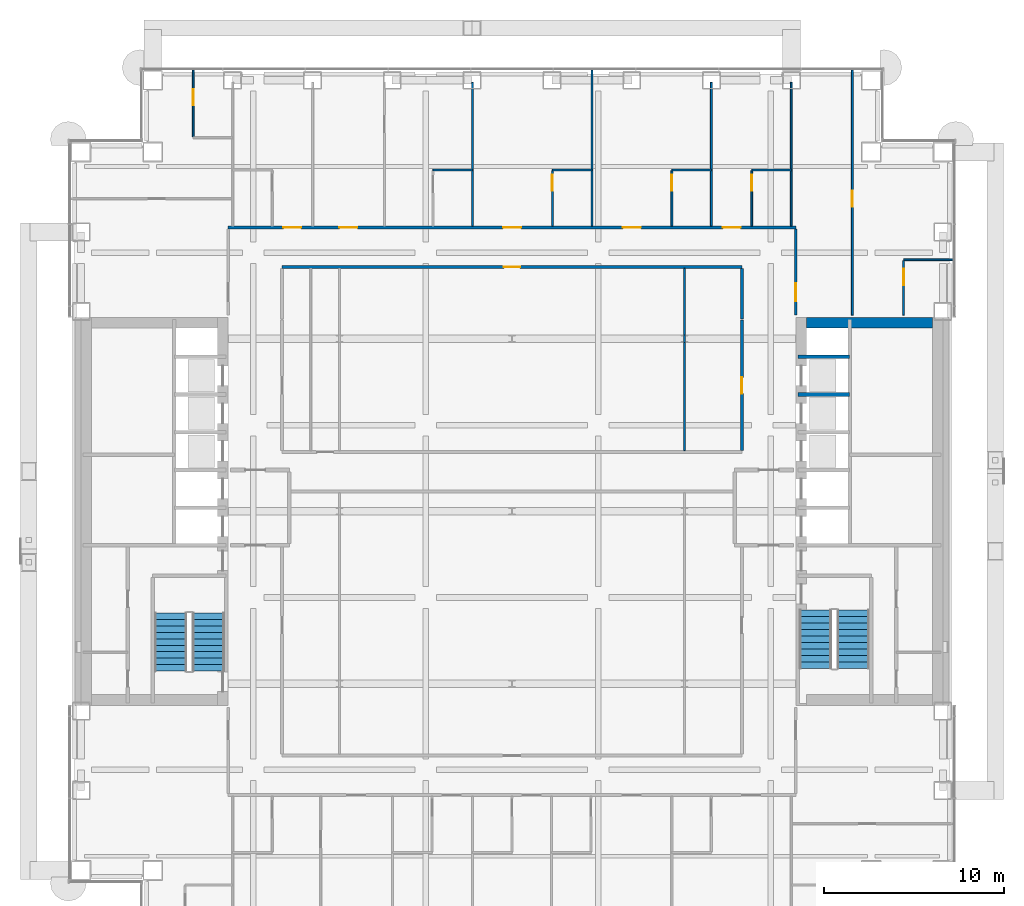
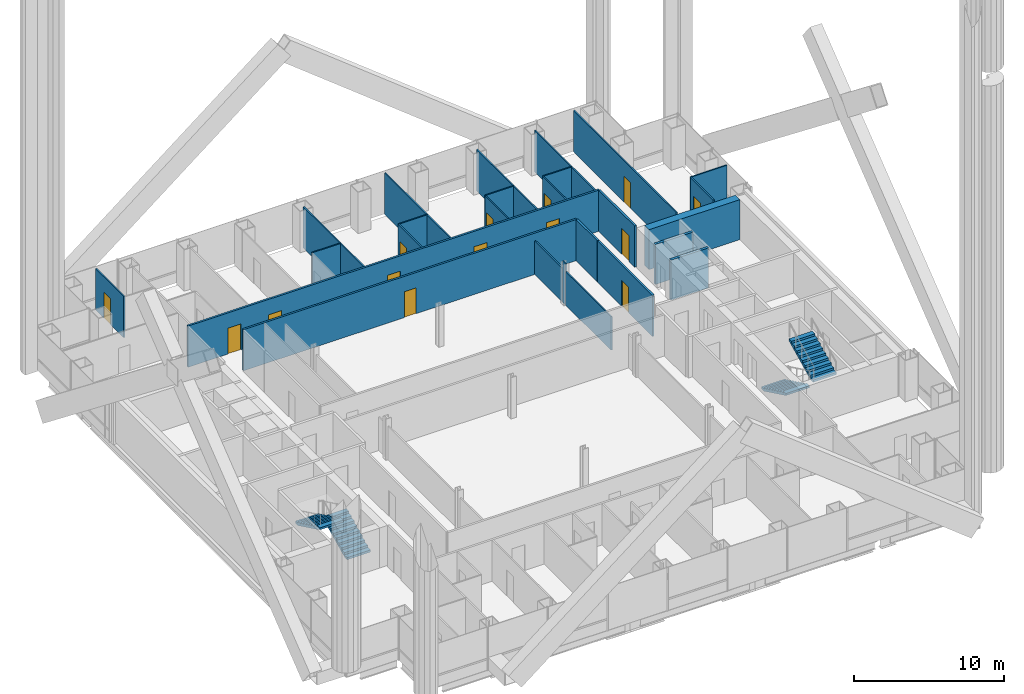
# One storey, part 21 of 28: 26 walls, 14 doors, 4 stair flights, 14 openings, 2 elements without a shape of their own.
"""IFC4 building model written with IfcOpenShell, lengths in metres."""

import ifcopenshell
import ifcopenshell.guid

model = None  # the IFC model being written
_history = None  # IfcOwnerHistory: only IFC2X3 demands one
_inside = {}  # id of a spatial element -> (the spatial element, [elements in it])
_under = {}  # id of a project, library or spatial element -> (it, [spatial elements below it])
_declared = {}  # id of a project -> (the project, [libraries it declares])
_typed = {}  # id of a type object -> (the type object, [elements of that type])
_made_of = {}  # id of a material, layer set ... -> (it, [elements and type objects made of it])


def new_model(schema):
    """Start an empty IFC model of exactly this schema.

    Asked for "IFC4X3", IfcOpenShell would pick the latest addendum, in which some entities
    have other attributes; the version numbers below select the first issue.
    IFC2X3 requires an IfcOwnerHistory on every rooted entity: one is made here for all.
    """
    global model, _history
    if schema == "IFC4X3":
        model = ifcopenshell.file(schema_version=(4, 3, 0, 0))
    else:
        model = ifcopenshell.file(schema=schema)
    _inside.clear()
    _under.clear()
    _declared.clear()
    _typed.clear()
    _made_of.clear()
    _history = None
    if model.schema == "IFC2X3":
        org = make("IfcOrganization", Name="unknown")
        user = make(
            "IfcPersonAndOrganization",
            ThePerson=make("IfcPerson", FamilyName="unknown"),
            TheOrganization=org,
        )
        app = make(
            "IfcApplication",
            ApplicationDeveloper=org,
            Version="unknown",
            ApplicationFullName="unknown",
            ApplicationIdentifier="unknown",
        )
        _history = make(
            "IfcOwnerHistory",
            OwningUser=user,
            OwningApplication=app,
            ChangeAction="ADDED",
            CreationDate=0,
        )
    return model


def make(cls, **values):
    """One entity of the class cls with the attributes given. An attribute that is None is left unset."""
    return model.create_entity(
        cls, **{name: value for name, value in values.items() if value is not None}
    )


def rooted(cls, **values):
    """An entity with a GlobalId (a new one), such as an element, a storey or a relation."""
    return make(cls, GlobalId=ifcopenshell.guid.new(), OwnerHistory=_history, **values)


def si_unit(unit_type, name, prefix=None):
    """IfcSIUnit, for example si_unit("LENGTHUNIT", "METRE", prefix="MILLI")."""
    return make("IfcSIUnit", UnitType=unit_type, Prefix=prefix, Name=name)


def assignment(units):
    """IfcUnitAssignment: the units of a project."""
    return None if units is None else make("IfcUnitAssignment", Units=units)


def point(xyz):
    """IfcCartesianPoint."""
    return None if xyz is None else make("IfcCartesianPoint", Coordinates=xyz)


def direction(xyz):
    """IfcDirection."""
    return None if xyz is None else make("IfcDirection", DirectionRatios=xyz)


def frame(location, z_axis=None, x_axis=None):
    """IfcAxis2Placement3D, a coordinate frame: its origin and axes. An axis left out is left unset."""
    return make(
        "IfcAxis2Placement3D",
        Location=point(location),
        Axis=direction(z_axis),
        RefDirection=direction(x_axis),
    )


def frame_2d(location, x_axis=None):
    """IfcAxis2Placement2D, a coordinate frame in the plane: its origin and x axis."""
    return make(
        "IfcAxis2Placement2D", Location=point(location), RefDirection=direction(x_axis)
    )


def origin():
    """The frame at (0, 0, 0) with its axes left unset."""
    return frame((0.0, 0.0, 0.0))


def place(relative_to, where):
    """IfcLocalPlacement: puts the frame where relative to a parent placement (None: the world)."""
    return make(
        "IfcLocalPlacement", PlacementRelTo=relative_to, RelativePlacement=where
    )


def context(
    kind, dimensions, precision=None, world=None, true_north=None, identifier=None
):
    """IfcGeometricRepresentationContext, for example the 3D "Model" context."""
    return make(
        "IfcGeometricRepresentationContext",
        ContextIdentifier=identifier,
        ContextType=kind,
        CoordinateSpaceDimension=dimensions,
        Precision=precision,
        WorldCoordinateSystem=world,
        TrueNorth=true_north,
    )


def subcontext(parent, identifier, kind, view, scale=None):
    """IfcGeometricRepresentationSubContext, for example "Body" below "Model"."""
    return make(
        "IfcGeometricRepresentationSubContext",
        ContextIdentifier=identifier,
        ContextType=kind,
        ParentContext=parent,
        TargetScale=scale,
        TargetView=view,
    )


def project(units=None, contexts=None):
    """IfcProject with its units and contexts."""
    return rooted(
        "IfcProject",
        Name="project",
        RepresentationContexts=contexts,
        UnitsInContext=assignment(units),
    )


def spatial(cls, under=None, at=None, **own):
    """A site, building, storey or space (cls), placed at a placement, below another one or the project."""
    s = rooted(cls, ObjectPlacement=at, **own)
    if under is not None:
        _under.setdefault(under.id(), (under, []))[1].append(s)
    return s


def polyline(points):
    """IfcPolyline through the points."""
    return make("IfcPolyline", Points=[point(p) for p in points])


def profile(cls, at=None, kind="AREA", **sizes):
    """A parametric profile (cls). Its sizes go by their IFC names, for example OverallWidth=200.0."""
    return make(cls, ProfileType=kind, Position=at, **sizes)


def rectangle(**sizes):
    """IfcRectangleProfileDef."""
    return profile("IfcRectangleProfileDef", **sizes)


def outline(outer, holes=None, kind="AREA"):
    """IfcArbitraryClosedProfileDef: a profile drawn as a closed curve; with holes, ...WithVoids."""
    if holes is None:
        return make("IfcArbitraryClosedProfileDef", ProfileType=kind, OuterCurve=outer)
    return make(
        "IfcArbitraryProfileDefWithVoids",
        ProfileType=kind,
        OuterCurve=outer,
        InnerCurves=holes,
    )


def extrude(swept, where, along, depth):
    """IfcExtrudedAreaSolid: the profile swept, set in the frame where, extruded along a direction by depth."""
    return make(
        "IfcExtrudedAreaSolid",
        SweptArea=swept,
        Position=where,
        ExtrudedDirection=direction(along),
        Depth=depth,
    )


def shape(context_of_items, identifier, shape_type, items):
    """IfcShapeRepresentation: the items that make up one representation, for example the "Body"."""
    return make(
        "IfcShapeRepresentation",
        ContextOfItems=context_of_items,
        RepresentationIdentifier=identifier,
        RepresentationType=shape_type,
        Items=items,
    )


def material(Name=None, Category=None):
    """IfcMaterial."""
    return make("IfcMaterial", Name=Name, Category=Category)


def layer(
    of_material, thickness, ventilated=None, Name=None, Category=None, Priority=None
):
    """IfcMaterialLayer: one layer of a wall or slab, of a material (None: an air gap)."""
    return make(
        "IfcMaterialLayer",
        Material=of_material,
        LayerThickness=thickness,
        IsVentilated=ventilated,
        Name=Name,
        Category=Category,
        Priority=Priority,
    )


def layer_set(layers, Name=None):
    """IfcMaterialLayerSet."""
    return make("IfcMaterialLayerSet", MaterialLayers=layers, LayerSetName=Name)


def made_of(thing, what):
    """Note that an element or type object is made of a material, layer set ...; save() writes the relation."""
    if what is not None:
        _made_of.setdefault(what.id(), (what, []))[1].append(thing)
    return thing


def type_object(cls, material=None, **own):
    """A type object (cls), such as IfcWallType, which elements share."""
    return made_of(rooted(cls, **own), material)


def element(
    cls,
    number,
    at=None,
    inside=None,
    cuts=None,
    type_object=None,
    material=None,
    context=None,
    identifier="Body",
    shape_type=None,
    held_by="IfcProductDefinitionShape",
    body=None,
    shapes=None,
    **own,
):
    """One element of the class cls, such as IfcWall. Its Tag is "e" and its number.

    at: its placement. inside: the storey or other place that contains it. cuts: it is an
    opening in that element (IfcRelVoidsElement). A single representation is given by context,
    identifier, shape_type and body (its items); several are given by shapes. held_by: the class
    of the entity that holds the representations. save() writes the other relations.
    """
    e = rooted(cls, Tag="e%d" % number, ObjectPlacement=at, **own)
    if body is not None:
        shapes = [shape(context, identifier, shape_type, body)]
    if shapes is not None:
        e.Representation = make(held_by, Representations=shapes)
    if inside is not None:
        _inside.setdefault(inside.id(), (inside, []))[1].append(e)
    if cuts is not None:
        rooted(
            "IfcRelVoidsElement", RelatingBuildingElement=cuts, RelatedOpeningElement=e
        )
    if type_object is not None:
        _typed.setdefault(type_object.id(), (type_object, []))[1].append(e)
    return made_of(e, material)


def fill(opening, filler):
    """IfcRelFillsElement: the door or window that sits in an opening."""
    return rooted(
        "IfcRelFillsElement",
        RelatingOpeningElement=opening,
        RelatedBuildingElement=filler,
    )


def aggregate(whole, parts):
    """IfcRelAggregates: a whole, such as a stair, and the parts it consists of."""
    return rooted("IfcRelAggregates", RelatingObject=whole, RelatedObjects=parts)


def save(model, path):
    """Write the relations noted so far, then the file.

    IfcRelAggregates (storeys below a building ...), IfcRelContainedInSpatialStructure (elements
    in a storey), IfcRelDefinesByType, IfcRelAssociatesMaterial and IfcRelDeclares: one each for
    every whole, place, type object, material and project.
    """
    for whole, parts in _under.values():
        aggregate(whole, parts)
    for where, things in _inside.values():
        rooted(
            "IfcRelContainedInSpatialStructure",
            RelatedElements=things,
            RelatingStructure=where,
        )
    for kind, things in _typed.values():
        rooted("IfcRelDefinesByType", RelatedObjects=things, RelatingType=kind)
    for what, things in _made_of.values():
        rooted("IfcRelAssociatesMaterial", RelatedObjects=things, RelatingMaterial=what)
    for by, libraries in _declared.values():
        rooted("IfcRelDeclares", RelatingContext=by, RelatedDefinitions=libraries)
    model.write(path)


model = new_model("IFC4")

# Units and contexts
model_context = context("Model", 3, precision=1e-05, world=origin(), true_north=direction((0.0, 1.0)))
body_context = subcontext(model_context, "Body", "Model", "MODEL_VIEW")
ifc_project = project(units=[si_unit("LENGTHUNIT", "METRE"), si_unit("AREAUNIT", "SQUARE_METRE"), si_unit("VOLUMEUNIT", "CUBIC_METRE"), si_unit("PLANEANGLEUNIT", "RADIAN"), si_unit("MASSUNIT", "GRAM", prefix="KILO")], contexts=[model_context])

# Site, building, storey
site_placement = place(None, origin())
site = spatial("IfcSite", under=ifc_project, at=site_placement, CompositionType="ELEMENT")
building_placement = place(site_placement, origin())
building = spatial("IfcBuilding", under=site, at=building_placement, Name="Cobrizo Arcos Hotel Tower", CompositionType="ELEMENT")
storey_placement = place(building_placement, frame((0.0, 0.0, 39.0)))
storey = spatial("IfcBuildingStorey", under=building, at=storey_placement, Name="L07", CompositionType="ELEMENT", Elevation=39.0)

# Wall, opening, door
ifc_material_1 = material(Name="Gypsum board partition")
ifc_layer_1 = layer(ifc_material_1, 0.14990234375)
ifc_layer_set_1 = layer_set([ifc_layer_1], Name="Corridor wall EI 60 150")
wall_type_1 = type_object("IfcWallType", Name="Corridor wall EI 60 150", PredefinedType="PARTITIONING", material=ifc_layer_set_1)
wall_1_placement = place(storey_placement, frame((-12.800048828125, 13.60009765625, 0.0), z_axis=(0.0, 0.0, 1.0), x_axis=(1.0, 0.0, 0.0)))
wall_1 = element("IfcWall", 1, at=wall_1_placement, inside=storey, type_object=wall_type_1, Name="Partition 035", PredefinedType="PARTITIONING", context=body_context, shape_type="SweptSolid", body=[
    extrude(rectangle(XDim=25.60009765625, YDim=0.14990234375, at=frame_2d((12.800048828125, 0.0))), origin(), (0.0, 0.0, 1.0), 3.35009765625),
])
opening_1_placement = place(wall_1_placement, frame((12.35009765625, 0.0, 0.0)))
opening_1 = element("IfcOpeningElement", 2, at=opening_1_placement, cuts=wall_1, Name="Opening RD-12", PredefinedType="OPENING", context=body_context, shape_type="SweptSolid", body=[
    extrude(rectangle(XDim=0.89990234375, YDim=2.10009765625, at=frame_2d((0.449951171875, 1.050048828125))), frame((0.0, 0.0869140625, 0.0), z_axis=(0.0, -1.0, 0.0), x_axis=(1.0, 0.0, 0.0)), (0.0, 0.0, 1.0), 0.173828125),
])
ifc_material_2 = material(Name="Timber door leaf", Category="wood")
door_type_1 = type_object("IfcDoorType", Name="Room door FD30 900x2100", OperationType="SINGLE_SWING_LEFT", PredefinedType="DOOR", material=ifc_material_2)
door_1_placement = place(opening_1_placement, origin())
door_1 = element("IfcDoor", 3, at=door_1_placement, inside=storey, type_object=door_type_1, Name="Door RD-12", OperationType="SINGLE_SWING_LEFT", OverallHeight=2.10009765625, OverallWidth=0.89990234375, PredefinedType="DOOR", context=body_context, shape_type="SweptSolid", body=[
    extrude(rectangle(XDim=0.89990234375, YDim=2.10009765625, at=frame_2d((0.449951171875, 1.050048828125))), frame((0.0, 0.02490234375, 0.0), z_axis=(0.0, -1.0, 0.0), x_axis=(1.0, 0.0, 0.0)), (0.0, 0.0, 1.0), 0.050048828125),
])
fill(opening_1, door_1)

# Wall, openings, doors
wall_2_placement = place(storey_placement, frame((-15.800048828125, 15.800048828125, 0.0), z_axis=(0.0, 0.0, 1.0), x_axis=(1.0, 0.0, 0.0)))
wall_2 = element("IfcWall", 4, at=wall_2_placement, inside=storey, type_object=wall_type_1, Name="Partition 037", PredefinedType="PARTITIONING", context=body_context, shape_type="SweptSolid", body=[
    extrude(rectangle(XDim=31.60009765625, YDim=0.14990234375, at=frame_2d((15.800048828125, 0.0))), origin(), (0.0, 0.0, 1.0), 3.35009765625),
])
opening_2_placement = place(wall_2_placement, frame((3.06689453125, 0.0, 0.0)))
opening_2 = element("IfcOpeningElement", 5, at=opening_2_placement, cuts=wall_2, Name="Opening GD-01", PredefinedType="OPENING", context=body_context, shape_type="SweptSolid", body=[
    extrude(rectangle(XDim=1.0, YDim=2.10009765625, at=frame_2d((0.5, 1.050048828125))), frame((0.0, 0.0869140625, 0.0), z_axis=(0.0, -1.0, 0.0), x_axis=(1.0, 0.0, 0.0)), (0.0, 0.0, 1.0), 0.173828125),
])
opening_3_placement = place(wall_2_placement, frame((6.18896484375, 0.0, 0.0)))
opening_3 = element("IfcOpeningElement", 6, at=opening_3_placement, cuts=wall_2, Name="Opening GD-02", PredefinedType="OPENING", context=body_context, shape_type="SweptSolid", body=[
    extrude(rectangle(XDim=1.0, YDim=2.10009765625, at=frame_2d((0.5, 1.050048828125))), frame((0.0, 0.0869140625, 0.0), z_axis=(0.0, -1.0, 0.0), x_axis=(1.0, 0.0, 0.0)), (0.0, 0.0, 1.0), 0.173828125),
])
opening_4_placement = place(wall_2_placement, frame((15.31103515625, 0.0, 0.0)))
opening_4 = element("IfcOpeningElement", 7, at=opening_4_placement, cuts=wall_2, Name="Opening GD-03", PredefinedType="OPENING", context=body_context, shape_type="SweptSolid", body=[
    extrude(rectangle(XDim=1.0, YDim=2.10009765625, at=frame_2d((0.5, 1.050048828125))), frame((0.0, 0.0869140625, 0.0), z_axis=(0.0, -1.0, 0.0), x_axis=(1.0, 0.0, 0.0)), (0.0, 0.0, 1.0), 0.173828125),
])
opening_5_placement = place(wall_2_placement, frame((21.97705078125, 0.0, 0.0)))
opening_5 = element("IfcOpeningElement", 8, at=opening_5_placement, cuts=wall_2, Name="Opening GD-04", PredefinedType="OPENING", context=body_context, shape_type="SweptSolid", body=[
    extrude(rectangle(XDim=1.0, YDim=2.10009765625, at=frame_2d((0.5, 1.050048828125))), frame((0.0, 0.0869140625, 0.0), z_axis=(0.0, -1.0, 0.0), x_axis=(1.0, 0.0, 0.0)), (0.0, 0.0, 1.0), 0.173828125),
])
opening_6_placement = place(wall_2_placement, frame((27.533935546875, 0.0, 0.0)))
opening_6 = element("IfcOpeningElement", 9, at=opening_6_placement, cuts=wall_2, Name="Opening GD-05", PredefinedType="OPENING", context=body_context, shape_type="SweptSolid", body=[
    extrude(rectangle(XDim=1.0, YDim=2.10009765625, at=frame_2d((0.5, 1.050048828125))), frame((0.0, 0.0869140625, 0.0), z_axis=(0.0, -1.0, 0.0), x_axis=(1.0, 0.0, 0.0)), (0.0, 0.0, 1.0), 0.173828125),
])
door_type_2 = type_object("IfcDoorType", Name="Guest room door FD30S 1000x2100", OperationType="SINGLE_SWING_LEFT", PredefinedType="DOOR", material=ifc_material_2)
door_2_placement = place(opening_2_placement, origin())
door_2 = element("IfcDoor", 10, at=door_2_placement, inside=storey, type_object=door_type_2, Name="Door GD-01", OperationType="SINGLE_SWING_RIGHT", OverallHeight=2.10009765625, OverallWidth=1.0, PredefinedType="DOOR", context=body_context, shape_type="SweptSolid", body=[
    extrude(rectangle(XDim=1.0, YDim=2.10009765625, at=frame_2d((0.5, 1.050048828125))), frame((0.0, 0.02490234375, 0.0), z_axis=(0.0, -1.0, 0.0), x_axis=(1.0, 0.0, 0.0)), (0.0, 0.0, 1.0), 0.050048828125),
])
fill(opening_2, door_2)
door_3_placement = place(opening_3_placement, origin())
door_3 = element("IfcDoor", 11, at=door_3_placement, inside=storey, type_object=door_type_2, Name="Door GD-02", OperationType="SINGLE_SWING_LEFT", OverallHeight=2.10009765625, OverallWidth=1.0, PredefinedType="DOOR", context=body_context, shape_type="SweptSolid", body=[
    extrude(rectangle(XDim=1.0, YDim=2.10009765625, at=frame_2d((0.5, 1.050048828125))), frame((0.0, 0.02490234375, 0.0), z_axis=(0.0, -1.0, 0.0), x_axis=(1.0, 0.0, 0.0)), (0.0, 0.0, 1.0), 0.050048828125),
])
fill(opening_3, door_3)
door_4_placement = place(opening_4_placement, origin())
door_4 = element("IfcDoor", 12, at=door_4_placement, inside=storey, type_object=door_type_2, Name="Door GD-03", OperationType="SINGLE_SWING_LEFT", OverallHeight=2.10009765625, OverallWidth=1.0, PredefinedType="DOOR", context=body_context, shape_type="SweptSolid", body=[
    extrude(rectangle(XDim=1.0, YDim=2.10009765625, at=frame_2d((0.5, 1.050048828125))), frame((0.0, 0.02490234375, 0.0), z_axis=(0.0, -1.0, 0.0), x_axis=(1.0, 0.0, 0.0)), (0.0, 0.0, 1.0), 0.050048828125),
])
fill(opening_4, door_4)
door_5_placement = place(opening_5_placement, origin())
door_5 = element("IfcDoor", 13, at=door_5_placement, inside=storey, type_object=door_type_2, Name="Door GD-04", OperationType="SINGLE_SWING_RIGHT", OverallHeight=2.10009765625, OverallWidth=1.0, PredefinedType="DOOR", context=body_context, shape_type="SweptSolid", body=[
    extrude(rectangle(XDim=1.0, YDim=2.10009765625, at=frame_2d((0.5, 1.050048828125))), frame((0.0, 0.02490234375, 0.0), z_axis=(0.0, -1.0, 0.0), x_axis=(1.0, 0.0, 0.0)), (0.0, 0.0, 1.0), 0.050048828125),
])
fill(opening_5, door_5)
door_6_placement = place(opening_6_placement, origin())
door_6 = element("IfcDoor", 14, at=door_6_placement, inside=storey, type_object=door_type_2, Name="Door GD-05", OperationType="SINGLE_SWING_RIGHT", OverallHeight=2.10009765625, OverallWidth=1.0, PredefinedType="DOOR", context=body_context, shape_type="SweptSolid", body=[
    extrude(rectangle(XDim=1.0, YDim=2.10009765625, at=frame_2d((0.5, 1.050048828125))), frame((0.0, 0.02490234375, 0.0), z_axis=(0.0, -1.0, 0.0), x_axis=(1.0, 0.0, 0.0)), (0.0, 0.0, 1.0), 0.050048828125),
])
fill(opening_6, door_6)

# Wall, opening, door
wall_3_placement = place(storey_placement, frame((12.800048828125, 3.375, 0.0), z_axis=(0.0, 0.0, 1.0), x_axis=(0.0, 1.0, 0.0)))
wall_3 = element("IfcWall", 15, at=wall_3_placement, inside=storey, type_object=wall_type_1, Name="Partition 096", PredefinedType="PARTITIONING", context=body_context, shape_type="SweptSolid", body=[
    extrude(rectangle(XDim=7.27490234375, YDim=0.14990234375, at=frame_2d((3.637451171875, 0.0))), origin(), (0.0, 0.0, 1.0), 3.35009765625),
])
opening_7_placement = place(wall_3_placement, frame((3.175048828125, 0.0, 0.0)))
opening_7 = element("IfcOpeningElement", 16, at=opening_7_placement, cuts=wall_3, Name="Opening RD-09", PredefinedType="OPENING", context=body_context, shape_type="SweptSolid", body=[
    extrude(rectangle(XDim=0.89990234375, YDim=2.10009765625, at=frame_2d((0.449951171875, 1.050048828125))), frame((0.0, 0.0869140625, 0.0), z_axis=(0.0, -1.0, 0.0), x_axis=(1.0, 0.0, 0.0)), (0.0, 0.0, 1.0), 0.173828125),
])
door_7_placement = place(opening_7_placement, origin())
door_7 = element("IfcDoor", 17, at=door_7_placement, inside=storey, type_object=door_type_1, Name="Door RD-09", OperationType="SINGLE_SWING_LEFT", OverallHeight=2.10009765625, OverallWidth=0.89990234375, PredefinedType="DOOR", context=body_context, shape_type="SweptSolid", body=[
    extrude(rectangle(XDim=0.89990234375, YDim=2.10009765625, at=frame_2d((0.449951171875, 1.050048828125))), frame((0.0, 0.02490234375, 0.0), z_axis=(0.0, -1.0, 0.0), x_axis=(1.0, 0.0, 0.0)), (0.0, 0.0, 1.0), 0.050048828125),
])
fill(opening_7, door_7)

# Wall
wall_4_placement = place(storey_placement, frame((12.800048828125, 10.699951171875, 0.0), z_axis=(0.0, 0.0, 1.0), x_axis=(0.0, 1.0, 0.0)))
element("IfcWall", 18, at=wall_4_placement, inside=storey, type_object=wall_type_1, Name="Partition 097", PredefinedType="PARTITIONING", context=body_context, shape_type="SweptSolid", body=[
    extrude(rectangle(XDim=2.824951171875, YDim=0.14990234375, at=frame_2d((1.41259765625, 0.0))), origin(), (0.0, 0.0, 1.0), 3.35009765625),
])

# Wall, opening, door
wall_5_placement = place(storey_placement, frame((15.800048828125, 10.919921875, 0.0), z_axis=(0.0, 0.0, 1.0), x_axis=(0.0, 1.0, 0.0)))
wall_5 = element("IfcWall", 19, at=wall_5_placement, inside=storey, type_object=wall_type_1, Name="Partition 102", PredefinedType="PARTITIONING", context=body_context, shape_type="SweptSolid", body=[
    extrude(rectangle(XDim=4.80517578125, YDim=0.14990234375, at=frame_2d((2.402587890625, 0.0))), origin(), (0.0, 0.0, 1.0), 3.35009765625),
])
opening_8_placement = place(wall_5_placement, frame((0.780029296875, 0.0, 0.0)))
opening_8 = element("IfcOpeningElement", 20, at=opening_8_placement, cuts=wall_5, Name="Opening GD-14", PredefinedType="OPENING", context=body_context, shape_type="SweptSolid", body=[
    extrude(rectangle(XDim=1.0, YDim=2.10009765625, at=frame_2d((0.5, 1.050048828125))), frame((0.0, 0.0869140625, 0.0), z_axis=(0.0, -1.0, 0.0), x_axis=(1.0, 0.0, 0.0)), (0.0, 0.0, 1.0), 0.173828125),
])
door_8_placement = place(opening_8_placement, origin())
door_8 = element("IfcDoor", 21, at=door_8_placement, inside=storey, type_object=door_type_2, Name="Door GD-14", OperationType="SINGLE_SWING_LEFT", OverallHeight=2.10009765625, OverallWidth=1.0, PredefinedType="DOOR", context=body_context, shape_type="SweptSolid", body=[
    extrude(rectangle(XDim=1.0, YDim=2.10009765625, at=frame_2d((0.5, 1.050048828125))), frame((0.0, 0.02490234375, 0.0), z_axis=(0.0, -1.0, 0.0), x_axis=(1.0, 0.0, 0.0)), (0.0, 0.0, 1.0), 0.050048828125),
])
fill(opening_8, door_8)

# Walls
ifc_layer_2 = layer(ifc_material_1, 0.10009765625)
ifc_layer_set_2 = layer_set([ifc_layer_2], Name="Partition EI 30 100")
wall_type_2 = type_object("IfcWallType", Name="Partition EI 30 100", PredefinedType="PARTITIONING", material=ifc_layer_set_2)
wall_6_placement = place(storey_placement, frame((21.800048828125, 14.0, 0.0), z_axis=(0.0, 0.0, 1.0), x_axis=(1.0, 0.0, 0.0)))
element("IfcWall", 22, at=wall_6_placement, inside=storey, type_object=wall_type_2, Name="Partition 036", PredefinedType="PARTITIONING", context=body_context, shape_type="SweptSolid", body=[
    extrude(rectangle(XDim=2.780029296875, YDim=0.10009765625, at=frame_2d((1.39013671875, 0.0))), origin(), (0.0, 0.0, 1.0), 3.35009765625),
])
for number, where, z_axis, x_axis, name in (
    (23, (-4.39990234375, 19.0, 0.0), (0.0, 0.0, 1.0), (1.0, 0.0, 0.0), "Partition 040"),
    (24, (2.25, 19.0, 0.0), (0.0, 0.0, 1.0), (1.0, 0.0, 0.0), "Partition 041"),
):
    element("IfcWall", number, at=place(storey_placement, frame(where, z_axis=z_axis, x_axis=x_axis)), inside=storey, type_object=wall_type_2, Name=name, PredefinedType="PARTITIONING", context=body_context, shape_type="SweptSolid", body=[
        extrude(rectangle(XDim=2.199951171875, YDim=0.10009765625, at=frame_2d((1.10009765625, 0.0))), origin(), (0.0, 0.0, 1.0), 3.35009765625),
    ])
wall_7_placement = place(storey_placement, frame((8.89990234375, 19.0, 0.0), z_axis=(0.0, 0.0, 1.0), x_axis=(1.0, 0.0, 0.0)))
element("IfcWall", 25, at=wall_7_placement, inside=storey, type_object=wall_type_2, Name="Partition 042", PredefinedType="PARTITIONING", context=body_context, shape_type="SweptSolid", body=[
    extrude(rectangle(XDim=2.2001953125, YDim=0.10009765625, at=frame_2d((1.10009765625, 0.0))), origin(), (0.0, 0.0, 1.0), 3.35009765625),
])
wall_8_placement = place(storey_placement, frame((13.35009765625, 19.0, 0.0), z_axis=(0.0, 0.0, 1.0), x_axis=(1.0, 0.0, 0.0)))
element("IfcWall", 26, at=wall_8_placement, inside=storey, type_object=wall_type_2, Name="Partition 043", PredefinedType="PARTITIONING", context=body_context, shape_type="SweptSolid", body=[
    extrude(rectangle(XDim=2.199951171875, YDim=0.10009765625, at=frame_2d((1.10009765625, 0.0))), origin(), (0.0, 0.0, 1.0), 3.35009765625),
])

# Wall, opening, door
wall_9_placement = place(storey_placement, frame((-17.75, 20.85009765625, 0.0), z_axis=(0.0, 0.0, 1.0), x_axis=(0.0, 1.0, 0.0)))
wall_9 = element("IfcWall", 27, at=wall_9_placement, inside=storey, type_object=wall_type_2, Name="Partition 049", PredefinedType="PARTITIONING", context=body_context, shape_type="SweptSolid", body=[
    extrude(rectangle(XDim=3.72998046875, YDim=0.10009765625, at=frame_2d((1.864990234375, 0.0))), origin(), (0.0, 0.0, 1.0), 3.35009765625),
])
opening_9_placement = place(wall_9_placement, frame((1.739990234375, 0.0, 0.0)))
opening_9 = element("IfcOpeningElement", 28, at=opening_9_placement, cuts=wall_9, Name="Opening ED-13", PredefinedType="OPENING", context=body_context, shape_type="SweptSolid", body=[
    extrude(rectangle(XDim=0.89990234375, YDim=2.10009765625, at=frame_2d((0.449951171875, 1.050048828125))), frame((0.0, 0.06201171875, 0.0), z_axis=(0.0, -1.0, 0.0), x_axis=(1.0, 0.0, 0.0)), (0.0, 0.0, 1.0), 0.1240234375),
])
door_type_3 = type_object("IfcDoorType", Name="En-suite door 900x2100", OperationType="SINGLE_SWING_LEFT", PredefinedType="DOOR", material=ifc_material_2)
door_9_placement = place(opening_9_placement, origin())
door_9 = element("IfcDoor", 29, at=door_9_placement, inside=storey, type_object=door_type_3, Name="Door ED-13", OperationType="SINGLE_SWING_LEFT", OverallHeight=2.10009765625, OverallWidth=0.89990234375, PredefinedType="DOOR", context=body_context, shape_type="SweptSolid", body=[
    extrude(rectangle(XDim=0.89990234375, YDim=2.10009765625, at=frame_2d((0.449951171875, 1.050048828125))), frame((0.0, 0.02490234375, 0.0), z_axis=(0.0, -1.0, 0.0), x_axis=(1.0, 0.0, 0.0)), (0.0, 0.0, 1.0), 0.050048828125),
])
fill(opening_9, door_9)

# Wall
wall_10_placement = place(storey_placement, frame((-2.199951171875, 15.875, 0.0), z_axis=(0.0, 0.0, 1.0), x_axis=(0.0, 1.0, 0.0)))
element("IfcWall", 30, at=wall_10_placement, inside=storey, type_object=wall_type_2, Name="Partition 076", PredefinedType="PARTITIONING", context=body_context, shape_type="SweptSolid", body=[
    extrude(rectangle(XDim=8.0048828125, YDim=0.10009765625, at=frame_2d((4.00244140625, 0.0))), origin(), (0.0, 0.0, 1.0), 3.35009765625),
])

# Wall, opening, door
wall_11_placement = place(storey_placement, frame((2.25, 15.875, 0.0), z_axis=(0.0, 0.0, 1.0), x_axis=(0.0, 1.0, 0.0)))
wall_11 = element("IfcWall", 31, at=wall_11_placement, inside=storey, type_object=wall_type_2, Name="Partition 079", PredefinedType="PARTITIONING", context=body_context, shape_type="SweptSolid", body=[
    extrude(rectangle(XDim=3.074951171875, YDim=0.10009765625, at=frame_2d((1.53759765625, 0.0))), origin(), (0.0, 0.0, 1.0), 3.35009765625),
])
opening_10_placement = place(wall_11_placement, frame((1.970947265625, 0.0, 0.0)))
opening_10 = element("IfcOpeningElement", 32, at=opening_10_placement, cuts=wall_11, Name="Opening ED-04", PredefinedType="OPENING", context=body_context, shape_type="SweptSolid", body=[
    extrude(rectangle(XDim=0.89990234375, YDim=2.10009765625, at=frame_2d((0.449951171875, 1.050048828125))), frame((0.0, 0.06201171875, 0.0), z_axis=(0.0, -1.0, 0.0), x_axis=(1.0, 0.0, 0.0)), (0.0, 0.0, 1.0), 0.1240234375),
])
door_10_placement = place(opening_10_placement, origin())
door_10 = element("IfcDoor", 33, at=door_10_placement, inside=storey, type_object=door_type_3, Name="Door ED-04", OperationType="SINGLE_SWING_RIGHT", OverallHeight=2.10009765625, OverallWidth=0.89990234375, PredefinedType="DOOR", context=body_context, shape_type="SweptSolid", body=[
    extrude(rectangle(XDim=0.89990234375, YDim=2.10009765625, at=frame_2d((0.449951171875, 1.050048828125))), frame((0.0, 0.02490234375, 0.0), z_axis=(0.0, -1.0, 0.0), x_axis=(1.0, 0.0, 0.0)), (0.0, 0.0, 1.0), 0.050048828125),
])
fill(opening_10, door_10)

# Wall
wall_12_placement = place(storey_placement, frame((4.449951171875, 15.875, 0.0), z_axis=(0.0, 0.0, 1.0), x_axis=(0.0, 1.0, 0.0)))
element("IfcWall", 34, at=wall_12_placement, inside=storey, type_object=wall_type_2, Name="Partition 081", PredefinedType="PARTITIONING", context=body_context, shape_type="SweptSolid", body=[
    extrude(rectangle(XDim=8.705078125, YDim=0.10009765625, at=frame_2d((4.3525390625, 0.0))), origin(), (0.0, 0.0, 1.0), 3.35009765625),
])

# Wall, opening, door
wall_13_placement = place(storey_placement, frame((8.89990234375, 15.875, 0.0), z_axis=(0.0, 0.0, 1.0), x_axis=(0.0, 1.0, 0.0)))
wall_13 = element("IfcWall", 35, at=wall_13_placement, inside=storey, type_object=wall_type_2, Name="Partition 083", PredefinedType="PARTITIONING", context=body_context, shape_type="SweptSolid", body=[
    extrude(rectangle(XDim=3.074951171875, YDim=0.10009765625, at=frame_2d((1.53759765625, 0.0))), origin(), (0.0, 0.0, 1.0), 3.35009765625),
])
opening_11_placement = place(wall_13_placement, frame((1.970947265625, 0.0, 0.0)))
opening_11 = element("IfcOpeningElement", 36, at=opening_11_placement, cuts=wall_13, Name="Opening ED-05", PredefinedType="OPENING", context=body_context, shape_type="SweptSolid", body=[
    extrude(rectangle(XDim=0.89990234375, YDim=2.10009765625, at=frame_2d((0.449951171875, 1.050048828125))), frame((0.0, 0.06201171875, 0.0), z_axis=(0.0, -1.0, 0.0), x_axis=(1.0, 0.0, 0.0)), (0.0, 0.0, 1.0), 0.1240234375),
])
door_11_placement = place(opening_11_placement, origin())
door_11 = element("IfcDoor", 37, at=door_11_placement, inside=storey, type_object=door_type_3, Name="Door ED-05", OperationType="SINGLE_SWING_LEFT", OverallHeight=2.10009765625, OverallWidth=0.89990234375, PredefinedType="DOOR", context=body_context, shape_type="SweptSolid", body=[
    extrude(rectangle(XDim=0.89990234375, YDim=2.10009765625, at=frame_2d((0.449951171875, 1.050048828125))), frame((0.0, 0.02490234375, 0.0), z_axis=(0.0, -1.0, 0.0), x_axis=(1.0, 0.0, 0.0)), (0.0, 0.0, 1.0), 0.050048828125),
])
fill(opening_11, door_11)

# Walls
wall_14_placement = place(storey_placement, frame((9.60009765625, 3.375, 0.0), z_axis=(0.0, 0.0, 1.0), x_axis=(0.0, 1.0, 0.0)))
element("IfcWall", 38, at=wall_14_placement, inside=storey, type_object=wall_type_2, Name="Partition 089", PredefinedType="PARTITIONING", context=body_context, shape_type="SweptSolid", body=[
    extrude(rectangle(XDim=6.02099609375, YDim=0.10009765625, at=frame_2d((3.010498046875, 0.0))), origin(), (0.0, 0.0, 1.0), 2.72802734375),
])
wall_15_placement = place(storey_placement, frame((9.60009765625, 9.39599609375, 0.0), z_axis=(0.0, 0.0, 1.0), x_axis=(0.0, 1.0, 0.0)))
element("IfcWall", 39, at=wall_15_placement, inside=storey, type_object=wall_type_2, Name="Partition 090", PredefinedType="PARTITIONING", context=body_context, shape_type="SweptSolid", body=[
    extrude(rectangle(XDim=0.407958984375, YDim=0.10009765625, at=frame_2d((0.2041015625, 0.0))), origin(), (0.0, 0.0, 1.0), 3.35009765625),
])
wall_16_placement = place(storey_placement, frame((9.60009765625, 9.803955078125, 0.0), z_axis=(0.0, 0.0, 1.0), x_axis=(0.0, 1.0, 0.0)))
element("IfcWall", 40, at=wall_16_placement, inside=storey, type_object=wall_type_2, Name="Partition 091", PredefinedType="PARTITIONING", context=body_context, shape_type="SweptSolid", body=[
    extrude(rectangle(XDim=3.720947265625, YDim=0.10009765625, at=frame_2d((1.8603515625, 0.0))), origin(), (0.0, 0.0, 1.0), 2.72802734375),
])
wall_17_placement = place(storey_placement, frame((11.10009765625, 15.875, 0.0), z_axis=(0.0, 0.0, 1.0), x_axis=(0.0, 1.0, 0.0)))
element("IfcWall", 41, at=wall_17_placement, inside=storey, type_object=wall_type_2, Name="Partition 093", PredefinedType="PARTITIONING", context=body_context, shape_type="SweptSolid", body=[
    extrude(rectangle(XDim=8.0048828125, YDim=0.10009765625, at=frame_2d((4.00244140625, 0.0))), origin(), (0.0, 0.0, 1.0), 3.35009765625),
])

# Wall, opening, door
wall_18_placement = place(storey_placement, frame((13.35009765625, 15.875, 0.0), z_axis=(0.0, 0.0, 1.0), x_axis=(0.0, 1.0, 0.0)))
wall_18 = element("IfcWall", 42, at=wall_18_placement, inside=storey, type_object=wall_type_2, Name="Partition 098", PredefinedType="PARTITIONING", context=body_context, shape_type="SweptSolid", body=[
    extrude(rectangle(XDim=3.074951171875, YDim=0.10009765625, at=frame_2d((1.53759765625, 0.0))), origin(), (0.0, 0.0, 1.0), 3.35009765625),
])
opening_12_placement = place(wall_18_placement, frame((1.970947265625, 0.0, 0.0)))
opening_12 = element("IfcOpeningElement", 43, at=opening_12_placement, cuts=wall_18, Name="Opening ED-06", PredefinedType="OPENING", context=body_context, shape_type="SweptSolid", body=[
    extrude(rectangle(XDim=0.89990234375, YDim=2.10009765625, at=frame_2d((0.449951171875, 1.050048828125))), frame((0.0, 0.06201171875, 0.0), z_axis=(0.0, -1.0, 0.0), x_axis=(1.0, 0.0, 0.0)), (0.0, 0.0, 1.0), 0.1240234375),
])
door_12_placement = place(opening_12_placement, origin())
door_12 = element("IfcDoor", 44, at=door_12_placement, inside=storey, type_object=door_type_3, Name="Door ED-06", OperationType="SINGLE_SWING_RIGHT", OverallHeight=2.10009765625, OverallWidth=0.89990234375, PredefinedType="DOOR", context=body_context, shape_type="SweptSolid", body=[
    extrude(rectangle(XDim=0.89990234375, YDim=2.10009765625, at=frame_2d((0.449951171875, 1.050048828125))), frame((0.0, 0.02490234375, 0.0), z_axis=(0.0, -1.0, 0.0), x_axis=(1.0, 0.0, 0.0)), (0.0, 0.0, 1.0), 0.050048828125),
])
fill(opening_12, door_12)

# Wall
wall_19_placement = place(storey_placement, frame((15.550048828125, 15.875, 0.0), z_axis=(0.0, 0.0, 1.0), x_axis=(0.0, 1.0, 0.0)))
element("IfcWall", 45, at=wall_19_placement, inside=storey, type_object=wall_type_2, Name="Partition 100", PredefinedType="PARTITIONING", context=body_context, shape_type="SweptSolid", body=[
    extrude(rectangle(XDim=8.0048828125, YDim=0.10009765625, at=frame_2d((4.00244140625, 0.0))), origin(), (0.0, 0.0, 1.0), 3.35009765625),
])

# Wall, opening, door
wall_20_placement = place(storey_placement, frame((18.949951171875, 10.919921875, 0.0), z_axis=(0.0, 0.0, 1.0), x_axis=(0.0, 1.0, 0.0)))
wall_20 = element("IfcWall", 46, at=wall_20_placement, inside=storey, type_object=wall_type_2, Name="Partition 105", PredefinedType="PARTITIONING", context=body_context, shape_type="SweptSolid", body=[
    extrude(rectangle(XDim=13.66015625, YDim=0.10009765625, at=frame_2d((6.830078125, 0.0))), origin(), (0.0, 0.0, 1.0), 3.35009765625),
])
opening_13_placement = place(wall_20_placement, frame((6.030029296875, 0.0, 0.0)))
opening_13 = element("IfcOpeningElement", 47, at=opening_13_placement, cuts=wall_20, Name="Opening RD-08", PredefinedType="OPENING", context=body_context, shape_type="SweptSolid", body=[
    extrude(rectangle(XDim=0.89990234375, YDim=2.10009765625, at=frame_2d((0.449951171875, 1.050048828125))), frame((0.0, 0.06201171875, 0.0), z_axis=(0.0, -1.0, 0.0), x_axis=(1.0, 0.0, 0.0)), (0.0, 0.0, 1.0), 0.1240234375),
])
door_13_placement = place(opening_13_placement, origin())
door_13 = element("IfcDoor", 48, at=door_13_placement, inside=storey, type_object=door_type_1, Name="Door RD-08", OperationType="SINGLE_SWING_RIGHT", OverallHeight=2.10009765625, OverallWidth=0.89990234375, PredefinedType="DOOR", context=body_context, shape_type="SweptSolid", body=[
    extrude(rectangle(XDim=0.89990234375, YDim=2.10009765625, at=frame_2d((0.449951171875, 1.050048828125))), frame((0.0, 0.02490234375, 0.0), z_axis=(0.0, -1.0, 0.0), x_axis=(1.0, 0.0, 0.0)), (0.0, 0.0, 1.0), 0.050048828125),
])
fill(opening_13, door_13)

wall_21_placement = place(storey_placement, frame((21.800048828125, 10.919921875, 0.0), z_axis=(0.0, 0.0, 1.0), x_axis=(0.0, 1.0, 0.0)))
wall_21 = element("IfcWall", 49, at=wall_21_placement, inside=storey, type_object=wall_type_2, Name="Partition 108", PredefinedType="PARTITIONING", context=body_context, shape_type="SweptSolid", body=[
    extrude(rectangle(XDim=3.030029296875, YDim=0.10009765625, at=frame_2d((1.51513671875, 0.0))), origin(), (0.0, 0.0, 1.0), 3.35009765625),
])
opening_14_placement = place(wall_21_placement, frame((1.669921875, 0.0, 0.0)))
opening_14 = element("IfcOpeningElement", 50, at=opening_14_placement, cuts=wall_21, Name="Opening ED-15", PredefinedType="OPENING", context=body_context, shape_type="SweptSolid", body=[
    extrude(rectangle(XDim=0.89990234375, YDim=2.10009765625, at=frame_2d((0.449951171875, 1.050048828125))), frame((0.0, 0.06201171875, 0.0), z_axis=(0.0, -1.0, 0.0), x_axis=(1.0, 0.0, 0.0)), (0.0, 0.0, 1.0), 0.1240234375),
])
door_14_placement = place(opening_14_placement, origin())
door_14 = element("IfcDoor", 51, at=door_14_placement, inside=storey, type_object=door_type_3, Name="Door ED-15", OperationType="SINGLE_SWING_LEFT", OverallHeight=2.10009765625, OverallWidth=0.89990234375, PredefinedType="DOOR", context=body_context, shape_type="SweptSolid", body=[
    extrude(rectangle(XDim=0.89990234375, YDim=2.10009765625, at=frame_2d((0.449951171875, 1.050048828125))), frame((0.0, 0.02490234375, 0.0), z_axis=(0.0, -1.0, 0.0), x_axis=(1.0, 0.0, 0.0)), (0.0, 0.0, 1.0), 0.050048828125),
])
fill(opening_14, door_14)

# Walls
ifc_material_3 = material(Name="Concrete f'c 60 MPa", Category="concrete")
ifc_layer_3 = layer(ifc_material_3, 0.60009765625)
ifc_layer_set_3 = layer_set([ifc_layer_3], Name="RC core wall 600 f'c 60")
wall_type_3 = type_object("IfcWallType", Name="RC core wall 600 f'c 60", PredefinedType="SHEAR", material=ifc_layer_set_3)
wall_22_placement = place(storey_placement, frame((16.39990234375, 10.5, 0.0), z_axis=(0.0, 0.0, 1.0), x_axis=(1.0, 0.0, 0.0)))
element("IfcWall", 52, at=wall_22_placement, inside=storey, type_object=wall_type_3, Name="Core wall CW1, east core, north end, L07", PredefinedType="SHEAR", context=body_context, shape_type="SweptSolid", body=[
    extrude(rectangle(XDim=7.0, YDim=0.60009765625, at=frame_2d((3.5, 0.0))), origin(), (0.0, 0.0, 1.0), 3.25),
])
ifc_layer_4 = layer(ifc_material_1, 0.199951171875)
ifc_layer_set_4 = layer_set([ifc_layer_4], Name="Shaft wall EI 120 200")
wall_type_4 = type_object("IfcWallType", Name="Shaft wall EI 120 200", PredefinedType="PARTITIONING", material=ifc_layer_set_4)
for number, where, z_axis, x_axis, name in (
    (53, (15.919921875, 6.5, 0.0), (0.0, 0.0, 1.0), (1.0, 0.0, 0.0), "Partition 032"),
    (54, (15.919921875, 8.60009765625, 0.0), (0.0, 0.0, 1.0), (1.0, 0.0, 0.0), "Partition 034"),
):
    element("IfcWall", number, at=place(storey_placement, frame(where, z_axis=z_axis, x_axis=x_axis)), inside=storey, type_object=wall_type_4, Name=name, PredefinedType="PARTITIONING", context=body_context, shape_type="SweptSolid", body=[
        extrude(rectangle(XDim=2.880126953125, YDim=0.199951171875, at=frame_2d((1.43994140625, 0.0))), origin(), (0.0, 0.0, 1.0), 3.25),
    ])

# Stair, stair flights
ifc_material_4 = material(Name="Concrete f'c 40 MPa", Category="concrete")
stair_type = type_object("IfcStairType", Name="Exit stair", PredefinedType="HALF_TURN_STAIR", material=ifc_material_4)
stair_1_placement = place(storey_placement, origin())
stair_1 = element("IfcStair", 55, at=stair_1_placement, inside=storey, type_object=stair_type, Name="L07 Exit stair ST-W", PredefinedType="HALF_TURN_STAIR")
stair_flight_type = type_object("IfcStairFlightType", Name="Exit stair flight", PredefinedType="STRAIGHT", material=ifc_material_4)
stair_flight_1_placement = place(storey_placement, frame((-16.89990234375, -8.89990234375, 0.0), z_axis=(0.0, 0.0, 1.0), x_axis=(0.0, 1.0, 0.0)))
stair_flight_1 = element("IfcStairFlight", 56, at=stair_flight_1_placement, type_object=stair_flight_type, Name="ST-W flight 1", NumberOfRisers=10, NumberOfTreads=9, PredefinedType="STRAIGHT", RiserHeight=0.175, TreadLength=0.36, context=body_context, shape_type="SweptSolid", body=[
    extrude(outline(polyline([(0.0, 0.0), (0.0, 0.175048828125), (0.360107421875, 0.175048828125), (0.360107421875, 0.35009765625), (0.719970703125, 0.35009765625), (0.719970703125, 0.52490234375), (1.080078125, 0.52490234375), (1.080078125, 0.699951171875), (1.43994140625, 0.699951171875), (1.43994140625, 0.875), (1.800048828125, 0.875), (1.800048828125, 1.050048828125), (2.159912109375, 1.050048828125), (2.159912109375, 1.22509765625), (2.52001953125, 1.22509765625), (2.52001953125, 1.39990234375), (2.8798828125, 1.39990234375), (2.8798828125, 1.574951171875), (3.239990234375, 1.574951171875), (3.239990234375, 1.75), (3.239990234375, 1.408203125), (0.3427734375, 0.0), (0.0, 0.0)])), frame((0.0, 0.89990234375, 0.0), z_axis=(0.0, -1.0, 0.0), x_axis=(1.0, 0.0, 0.0)), (0.0, 0.0, 1.0), 1.800048828125),
])
stair_flight_2_placement = place(storey_placement, frame((-19.0, -5.659912109375, 1.75), z_axis=(0.0, 0.0, 1.0), x_axis=(0.0, -1.0, 0.0)))
stair_flight_2 = element("IfcStairFlight", 57, at=stair_flight_2_placement, type_object=stair_flight_type, Name="ST-W flight 2", NumberOfRisers=10, NumberOfTreads=9, PredefinedType="STRAIGHT", RiserHeight=0.175, TreadLength=0.36, context=body_context, shape_type="SweptSolid", body=[
    extrude(outline(polyline([(0.0, 0.0), (0.0, 0.175048828125), (0.360107421875, 0.175048828125), (0.360107421875, 0.35009765625), (0.719970703125, 0.35009765625), (0.719970703125, 0.52490234375), (1.080078125, 0.52490234375), (1.080078125, 0.699951171875), (1.43994140625, 0.699951171875), (1.43994140625, 0.875), (1.800048828125, 0.875), (1.800048828125, 1.050048828125), (2.159912109375, 1.050048828125), (2.159912109375, 1.22509765625), (2.52001953125, 1.22509765625), (2.52001953125, 1.39990234375), (2.8798828125, 1.39990234375), (2.8798828125, 1.574951171875), (3.239990234375, 1.574951171875), (3.239990234375, 1.75), (3.239990234375, 1.408203125), (0.3427734375, 0.0), (0.0, 0.0)])), frame((0.0, 0.89990234375, 0.0), z_axis=(0.0, -1.0, 0.0), x_axis=(1.0, 0.0, 0.0)), (0.0, 0.0, 1.0), 1.800048828125),
])
aggregate(stair_1, [stair_flight_1, stair_flight_2])

stair_2_placement = place(storey_placement, origin())
stair_2 = element("IfcStair", 58, at=stair_2_placement, inside=storey, type_object=stair_type, Name="L07 Exit stair ST-E", PredefinedType="HALF_TURN_STAIR")
stair_flight_3_placement = place(storey_placement, frame((16.89990234375, -5.5, 0.0), z_axis=(0.0, 0.0, 1.0), x_axis=(0.0, -1.0, 0.0)))
stair_flight_3 = element("IfcStairFlight", 59, at=stair_flight_3_placement, type_object=stair_flight_type, Name="ST-E flight 1", NumberOfRisers=10, NumberOfTreads=9, PredefinedType="STRAIGHT", RiserHeight=0.175, TreadLength=0.36, context=body_context, shape_type="SweptSolid", body=[
    extrude(outline(polyline([(0.0, 0.0), (0.0, 0.175048828125), (0.360107421875, 0.175048828125), (0.360107421875, 0.35009765625), (0.719970703125, 0.35009765625), (0.719970703125, 0.52490234375), (1.080078125, 0.52490234375), (1.080078125, 0.699951171875), (1.43994140625, 0.699951171875), (1.43994140625, 0.875), (1.800048828125, 0.875), (1.800048828125, 1.050048828125), (2.159912109375, 1.050048828125), (2.159912109375, 1.22509765625), (2.52001953125, 1.22509765625), (2.52001953125, 1.39990234375), (2.8798828125, 1.39990234375), (2.8798828125, 1.574951171875), (3.239990234375, 1.574951171875), (3.239990234375, 1.75), (3.239990234375, 1.408203125), (0.3427734375, 0.0), (0.0, 0.0)])), frame((0.0, 0.89990234375, 0.0), z_axis=(0.0, -1.0, 0.0), x_axis=(1.0, 0.0, 0.0)), (0.0, 0.0, 1.0), 1.800048828125),
])
stair_flight_4_placement = place(storey_placement, frame((19.0, -8.739990234375, 1.75), z_axis=(0.0, 0.0, 1.0), x_axis=(0.0, 1.0, 0.0)))
stair_flight_4 = element("IfcStairFlight", 60, at=stair_flight_4_placement, type_object=stair_flight_type, Name="ST-E flight 2", NumberOfRisers=10, NumberOfTreads=9, PredefinedType="STRAIGHT", RiserHeight=0.175, TreadLength=0.36, context=body_context, shape_type="SweptSolid", body=[
    extrude(outline(polyline([(0.0, 0.0), (0.0, 0.175048828125), (0.360107421875, 0.175048828125), (0.360107421875, 0.35009765625), (0.719970703125, 0.35009765625), (0.719970703125, 0.52490234375), (1.080078125, 0.52490234375), (1.080078125, 0.699951171875), (1.43994140625, 0.699951171875), (1.43994140625, 0.875), (1.800048828125, 0.875), (1.800048828125, 1.050048828125), (2.159912109375, 1.050048828125), (2.159912109375, 1.22509765625), (2.52001953125, 1.22509765625), (2.52001953125, 1.39990234375), (2.8798828125, 1.39990234375), (2.8798828125, 1.574951171875), (3.239990234375, 1.574951171875), (3.239990234375, 1.75), (3.239990234375, 1.408203125), (0.3427734375, 0.0), (0.0, 0.0)])), frame((0.0, 0.89990234375, 0.0), z_axis=(0.0, -1.0, 0.0), x_axis=(1.0, 0.0, 0.0)), (0.0, 0.0, 1.0), 1.800048828125),
])
aggregate(stair_2, [stair_flight_3, stair_flight_4])

save(model, "model.ifc")
